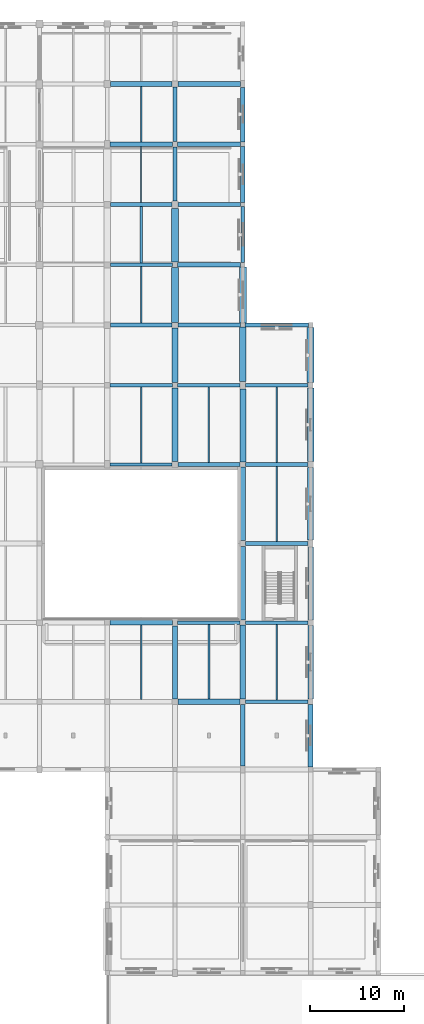
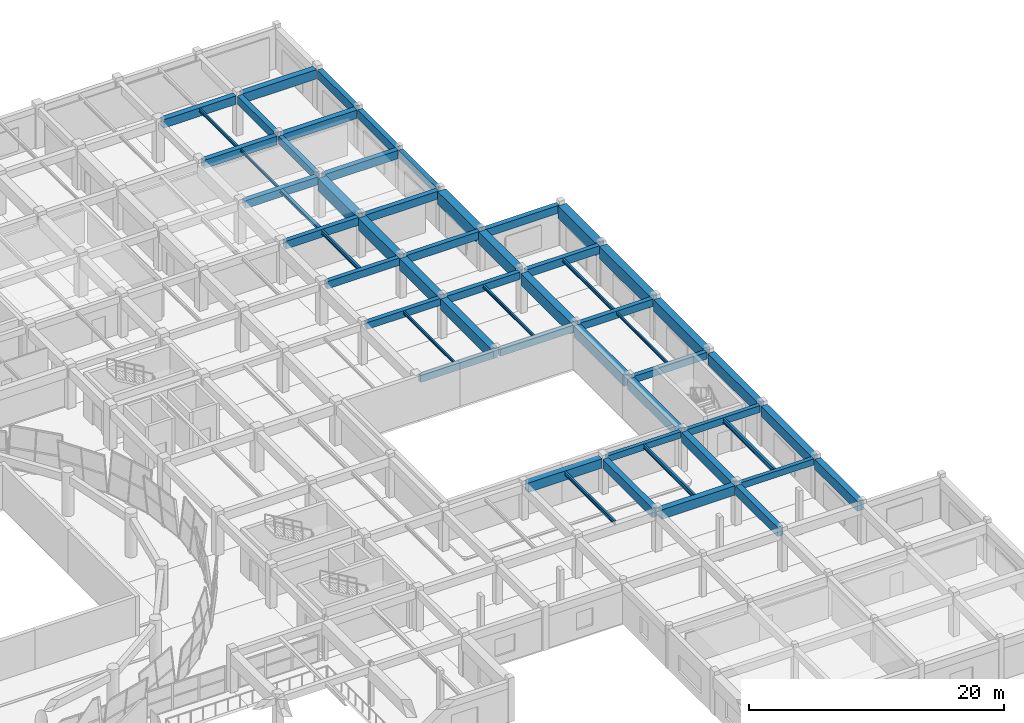
# One storey, part 39 of 71: 57 beams.
"""IFC4 building model written with IfcOpenShell, lengths in metres."""

from ifc_helpers import new_model, si_unit, direction, frame, origin, origin_2d, place, context, subcontext, project, spatial, rectangle, i_section, extrude, material, material_profile, profile_set, type_object, element, save


model = new_model("IFC4")

# Units and contexts
model_context = context("Model", 3, precision=1e-05, world=origin(), true_north=direction((0.0, 1.0)))
body_context = subcontext(model_context, "Body", "Model", "MODEL_VIEW")
ifc_project = project(units=[si_unit("LENGTHUNIT", "METRE"), si_unit("AREAUNIT", "SQUARE_METRE"), si_unit("VOLUMEUNIT", "CUBIC_METRE"), si_unit("PLANEANGLEUNIT", "RADIAN"), si_unit("MASSUNIT", "GRAM", prefix="KILO")], contexts=[model_context])

# Site, building, storey
site_placement = place(None, origin())
site = spatial("IfcSite", under=ifc_project, at=site_placement, CompositionType="ELEMENT")
building_placement = place(site_placement, origin())
building = spatial("IfcBuilding", under=site, at=building_placement, Name="Korsvaeld Concert Hall", CompositionType="ELEMENT")
storey_placement = place(building_placement, frame((0.0, 0.0, 4.800048828125)))
storey = spatial("IfcBuildingStorey", under=building, at=storey_placement, Name="L01", CompositionType="ELEMENT", Elevation=4.800048828125)

# Beams
ifc_material_1 = material(Name="Concrete C35/45", Category="concrete")
ifc_material_profile_1 = material_profile(ifc_material_1, rectangle(XDim=0.35009765625, YDim=0.60009765625, at=origin_2d()), Name="RC 350x600")
ifc_profile_set_1 = profile_set([ifc_material_profile_1], Name="Concrete C35/45")
beam_type_1 = type_object("IfcBeamType", Name="BM-RC-350x600", PredefinedType="T_BEAM", material=ifc_profile_set_1)
beam_1_placement = place(storey_placement, frame((146.699951171875, 43.199951171875, 3.5400390625), z_axis=(1.0, 0.0, 0.0), x_axis=(0.0, 1.0, 0.0)))
element("IfcBeam", 1, at=beam_1_placement, inside=storey, type_object=beam_type_1, Name="Primary girder 20-21/G L01", PredefinedType="T_BEAM", context=body_context, shape_type="SweptSolid", body=[
    extrude(rectangle(XDim=0.35009765625, YDim=0.60009765625, at=origin_2d()), origin(), (0.0, 0.0, 1.0), 6.625),
])
beam_2_placement = place(storey_placement, frame((139.47509765625, 51.60009765625, 3.5400390625), z_axis=(1.0, 0.0, 0.0), x_axis=(0.0, 1.0, 0.0)))
element("IfcBeam", 2, at=beam_2_placement, inside=storey, type_object=beam_type_1, Name="Primary girder 19-20/H L01", PredefinedType="T_BEAM", context=body_context, shape_type="SweptSolid", body=[
    extrude(rectangle(XDim=0.35009765625, YDim=0.60009765625, at=origin_2d()), origin(), (0.0, 0.0, 1.0), 6.64990234375),
])
ifc_material_profile_2 = material_profile(ifc_material_1, rectangle(XDim=0.35009765625, YDim=0.64990234375, at=origin_2d()), Name="RC 350x650")
ifc_profile_set_2 = profile_set([ifc_material_profile_2], Name="Concrete C35/45")
beam_type_2 = type_object("IfcBeamType", Name="BM-RC-350x650", PredefinedType="T_BEAM", material=ifc_profile_set_2)
beam_3_placement = place(storey_placement, frame((146.675048828125, 51.60009765625, 3.514892578125), z_axis=(1.0, 0.0, 0.0), x_axis=(0.0, 1.0, 0.0)))
element("IfcBeam", 3, at=beam_3_placement, inside=storey, type_object=beam_type_2, Name="Primary girder 20-21/H L01", PredefinedType="T_BEAM", context=body_context, shape_type="SweptSolid", body=[
    extrude(rectangle(XDim=0.35009765625, YDim=0.64990234375, at=origin_2d()), origin(), (0.0, 0.0, 1.0), 6.625),
])
beam_4_placement = place(storey_placement, frame((132.300048828125, 68.39990234375, 3.514892578125), z_axis=(1.0, 0.0, 0.0), x_axis=(0.0, 1.0, 0.0)))
element("IfcBeam", 4, at=beam_4_placement, inside=storey, type_object=beam_type_2, Name="Primary girder 18-19/K L01", PredefinedType="T_BEAM", context=body_context, shape_type="SweptSolid", body=[
    extrude(rectangle(XDim=0.35009765625, YDim=0.64990234375, at=origin_2d()), origin(), (0.0, 0.0, 1.0), 6.599853515625),
])
ifc_material_profile_3 = material_profile(ifc_material_1, rectangle(XDim=0.39990234375, YDim=0.64990234375, at=origin_2d()), Name="RC 400x650")
ifc_profile_set_3 = profile_set([ifc_material_profile_3], Name="Concrete C35/45")
beam_type_3 = type_object("IfcBeamType", Name="BM-RC-400x650", PredefinedType="T_BEAM", material=ifc_profile_set_3)
for number, where, z_axis, x_axis, name in (
    (5, (146.699951171875, 60.0, 3.514892578125), (1.0, 0.0, 0.0), (0.0, 1.0, 0.0), "Primary girder 20-21/J L01"),
    (6, (139.5, 68.39990234375, 3.514892578125), (1.0, 0.0, 0.0), (0.0, 1.0, 0.0), "Primary girder 19-20/K L01"),
):
    element("IfcBeam", number, at=place(storey_placement, frame(where, z_axis=z_axis, x_axis=x_axis)), inside=storey, type_object=beam_type_3, Name=name, PredefinedType="T_BEAM", context=body_context, shape_type="SweptSolid", body=[
        extrude(rectangle(XDim=0.39990234375, YDim=0.64990234375, at=origin_2d()), origin(), (0.0, 0.0, 1.0), 6.625),
    ])
beam_5_placement = place(storey_placement, frame((132.27490234375, 76.800048828125, 3.514892578125), z_axis=(1.0, 0.0, 0.0), x_axis=(0.0, 1.0, 0.0)))
element("IfcBeam", 7, at=beam_5_placement, inside=storey, type_object=beam_type_3, Name="Primary girder 18-19/L L01", PredefinedType="T_BEAM", context=body_context, shape_type="SweptSolid", body=[
    extrude(rectangle(XDim=0.39990234375, YDim=0.64990234375, at=origin_2d()), origin(), (0.0, 0.0, 1.0), 6.650146484375),
])
ifc_material_profile_4 = material_profile(ifc_material_1, rectangle(XDim=0.39990234375, YDim=0.699951171875, at=origin_2d()), Name="RC 400x700")
ifc_profile_set_4 = profile_set([ifc_material_profile_4], Name="Concrete C35/45")
beam_type_4 = type_object("IfcBeamType", Name="BM-RC-400x700", PredefinedType="T_BEAM", material=ifc_profile_set_4)
for number, where, z_axis, x_axis, name in (
    (8, (146.675048828125, 68.39990234375, 3.489990234375), (1.0, 0.0, 0.0), (0.0, 1.0, 0.0), "Primary girder 20-21/K L01"),
    (9, (139.47509765625, 76.800048828125, 3.489990234375), (1.0, 0.0, 0.0), (0.0, 1.0, 0.0), "Primary girder 19-20/L L01"),
):
    element("IfcBeam", number, at=place(storey_placement, frame(where, z_axis=z_axis, x_axis=x_axis)), inside=storey, type_object=beam_type_4, Name=name, PredefinedType="T_BEAM", context=body_context, shape_type="SweptSolid", body=[
        extrude(rectangle(XDim=0.39990234375, YDim=0.699951171875, at=origin_2d()), origin(), (0.0, 0.0, 1.0), 6.625),
    ])
beam_6_placement = place(storey_placement, frame((132.35009765625, 83.199951171875, 3.489990234375), z_axis=(1.0, 0.0, 0.0), x_axis=(0.0, 1.0, 0.0)))
element("IfcBeam", 10, at=beam_6_placement, inside=storey, type_object=beam_type_4, Name="Primary girder 18-19/M L01", PredefinedType="T_BEAM", context=body_context, shape_type="SweptSolid", body=[
    extrude(rectangle(XDim=0.39990234375, YDim=0.699951171875, at=origin_2d()), origin(), (0.0, 0.0, 1.0), 6.5498046875),
])
beam_7_placement = place(storey_placement, frame((139.199951171875, 96.39990234375, 3.489990234375), z_axis=(0.0, 1.0, 0.0), x_axis=(-1.0, 0.0, 0.0)))
element("IfcBeam", 11, at=beam_7_placement, inside=storey, type_object=beam_type_4, Name="Primary girder 19/P-Q L01", PredefinedType="T_BEAM", context=body_context, shape_type="SweptSolid", body=[
    extrude(rectangle(XDim=0.39990234375, YDim=0.699951171875, at=origin_2d()), origin(), (0.0, 0.0, 1.0), 5.72509765625),
])
beam_8_placement = place(storey_placement, frame((146.39990234375, 89.85009765625, 3.489990234375), z_axis=(0.0, 1.0, 0.0), x_axis=(-1.0, 0.0, 0.0)))
element("IfcBeam", 12, at=beam_8_placement, inside=storey, type_object=beam_type_4, Name="Primary girder 20/N-P L01", PredefinedType="T_BEAM", context=body_context, shape_type="SweptSolid", body=[
    extrude(rectangle(XDim=0.39990234375, YDim=0.699951171875, at=origin_2d()), origin(), (0.0, 0.0, 1.0), 5.9248046875),
])
ifc_material_profile_5 = material_profile(ifc_material_1, rectangle(XDim=0.39990234375, YDim=0.75, at=origin_2d()), Name="RC 400x750")
ifc_profile_set_5 = profile_set([ifc_material_profile_5], Name="Concrete C35/45")
beam_type_5 = type_object("IfcBeamType", Name="BM-RC-400x750", PredefinedType="T_BEAM", material=ifc_profile_set_5)
beam_9_placement = place(storey_placement, frame((146.699951171875, 76.800048828125, 3.46484375), z_axis=(1.0, 0.0, 0.0), x_axis=(0.0, 1.0, 0.0)))
element("IfcBeam", 13, at=beam_9_placement, inside=storey, type_object=beam_type_5, Name="Primary girder 20-21/L L01", PredefinedType="T_BEAM", context=body_context, shape_type="SweptSolid", body=[
    extrude(rectangle(XDim=0.39990234375, YDim=0.75, at=origin_2d()), origin(), (0.0, 0.0, 1.0), 6.625),
])
beam_10_placement = place(storey_placement, frame((139.5, 83.199951171875, 3.46484375), z_axis=(1.0, 0.0, 0.0), x_axis=(0.0, 1.0, 0.0)))
element("IfcBeam", 14, at=beam_10_placement, inside=storey, type_object=beam_type_5, Name="Primary girder 19-20/M L01", PredefinedType="T_BEAM", context=body_context, shape_type="SweptSolid", body=[
    extrude(rectangle(XDim=0.39990234375, YDim=0.75, at=origin_2d()), origin(), (0.0, 0.0, 1.0), 6.675048828125),
])
beam_11_placement = place(storey_placement, frame((132.324951171875, 89.60009765625, 3.46484375), z_axis=(1.0, 0.0, 0.0), x_axis=(0.0, 1.0, 0.0)))
element("IfcBeam", 15, at=beam_11_placement, inside=storey, type_object=beam_type_5, Name="Primary girder 18-19/N L01", PredefinedType="T_BEAM", context=body_context, shape_type="SweptSolid", body=[
    extrude(rectangle(XDim=0.39990234375, YDim=0.75, at=origin_2d()), origin(), (0.0, 0.0, 1.0), 6.60009765625),
])
ifc_material_profile_6 = material_profile(ifc_material_1, rectangle(XDim=0.449951171875, YDim=0.75, at=origin_2d()), Name="RC 450x750")
ifc_profile_set_6 = profile_set([ifc_material_profile_6], Name="Concrete C35/45")
beam_type_6 = type_object("IfcBeamType", Name="BM-RC-450x750", PredefinedType="T_BEAM", material=ifc_profile_set_6)
beam_12_placement = place(storey_placement, frame((146.625, 83.199951171875, 3.46484375), z_axis=(1.0, 0.0, 0.0), x_axis=(0.0, 1.0, 0.0)))
element("IfcBeam", 16, at=beam_12_placement, inside=storey, type_object=beam_type_6, Name="Primary girder 20-21/M L01", PredefinedType="T_BEAM", context=body_context, shape_type="SweptSolid", body=[
    extrude(rectangle(XDim=0.449951171875, YDim=0.75, at=origin_2d()), origin(), (0.0, 0.0, 1.0), 6.72509765625),
])
beam_13_placement = place(storey_placement, frame((139.47509765625, 89.60009765625, 3.46484375), z_axis=(1.0, 0.0, 0.0), x_axis=(0.0, 1.0, 0.0)))
element("IfcBeam", 17, at=beam_13_placement, inside=storey, type_object=beam_type_6, Name="Primary girder 19-20/N L01", PredefinedType="T_BEAM", context=body_context, shape_type="SweptSolid", body=[
    extrude(rectangle(XDim=0.449951171875, YDim=0.75, at=origin_2d()), origin(), (0.0, 0.0, 1.0), 6.6748046875),
])
beam_14_placement = place(storey_placement, frame((132.35009765625, 96.0, 3.46484375), z_axis=(1.0, 0.0, 0.0), x_axis=(0.0, 1.0, 0.0)))
element("IfcBeam", 18, at=beam_14_placement, inside=storey, type_object=beam_type_6, Name="Primary girder 18-19/P L01", PredefinedType="T_BEAM", context=body_context, shape_type="SweptSolid", body=[
    extrude(rectangle(XDim=0.449951171875, YDim=0.75, at=origin_2d()), origin(), (0.0, 0.0, 1.0), 6.5498046875),
])
ifc_material_profile_7 = material_profile(ifc_material_1, rectangle(XDim=0.449951171875, YDim=0.800048828125, at=origin_2d()), Name="RC 450x800")
ifc_profile_set_7 = profile_set([ifc_material_profile_7], Name="Concrete C35/45")
beam_type_7 = type_object("IfcBeamType", Name="BM-RC-450x800", PredefinedType="T_BEAM", material=ifc_profile_set_7)
beam_15_placement = place(storey_placement, frame((139.5, 96.0, 3.43994140625), z_axis=(1.0, 0.0, 0.0), x_axis=(0.0, 1.0, 0.0)))
element("IfcBeam", 19, at=beam_15_placement, inside=storey, type_object=beam_type_7, Name="Primary girder 19-20/P L01", PredefinedType="T_BEAM", context=body_context, shape_type="SweptSolid", body=[
    extrude(rectangle(XDim=0.449951171875, YDim=0.800048828125, at=origin_2d()), origin(), (0.0, 0.0, 1.0), 6.675048828125),
])
beam_16_placement = place(storey_placement, frame((132.300048828125, 102.39990234375, 3.43994140625), z_axis=(1.0, 0.0, 0.0), x_axis=(0.0, 1.0, 0.0)))
element("IfcBeam", 20, at=beam_16_placement, inside=storey, type_object=beam_type_7, Name="Primary girder 18-19/Q L01", PredefinedType="T_BEAM", context=body_context, shape_type="SweptSolid", body=[
    extrude(rectangle(XDim=0.449951171875, YDim=0.800048828125, at=origin_2d()), origin(), (0.0, 0.0, 1.0), 6.625),
])
beam_17_placement = place(storey_placement, frame((139.199951171875, 102.675048828125, 3.43994140625), z_axis=(0.0, 1.0, 0.0), x_axis=(-1.0, 0.0, 0.0)))
element("IfcBeam", 21, at=beam_17_placement, inside=storey, type_object=beam_type_7, Name="Primary girder 19/Q-R L01", PredefinedType="T_BEAM", context=body_context, shape_type="SweptSolid", body=[
    extrude(rectangle(XDim=0.449951171875, YDim=0.800048828125, at=origin_2d()), origin(), (0.0, 0.0, 1.0), 5.824951171875),
])
beam_18_placement = place(storey_placement, frame((146.39990234375, 96.22509765625, 3.43994140625), z_axis=(0.0, 1.0, 0.0), x_axis=(-1.0, 0.0, 0.0)))
element("IfcBeam", 22, at=beam_18_placement, inside=storey, type_object=beam_type_7, Name="Primary girder 20/P-Q L01", PredefinedType="T_BEAM", context=body_context, shape_type="SweptSolid", body=[
    extrude(rectangle(XDim=0.449951171875, YDim=0.800048828125, at=origin_2d()), origin(), (0.0, 0.0, 1.0), 5.9248046875),
])
ifc_material_2 = material(Name="Concrete C40/50", Category="concrete")
ifc_material_profile_8 = material_profile(ifc_material_2, rectangle(XDim=0.449951171875, YDim=0.85009765625, at=origin_2d()), Name="RC 450x850")
ifc_profile_set_8 = profile_set([ifc_material_profile_8], Name="Concrete C40/50")
beam_type_8 = type_object("IfcBeamType", Name="BM-RC-450x850", PredefinedType="T_BEAM", material=ifc_profile_set_8)
beam_19_placement = place(storey_placement, frame((146.39990234375, 102.64990234375, 3.4150390625), z_axis=(0.0, 1.0, 0.0), x_axis=(-1.0, 0.0, 0.0)))
element("IfcBeam", 23, at=beam_19_placement, inside=storey, type_object=beam_type_8, Name="Primary girder 20/Q-R L01", PredefinedType="T_BEAM", context=body_context, shape_type="SweptSolid", body=[
    extrude(rectangle(XDim=0.449951171875, YDim=0.85009765625, at=origin_2d()), origin(), (0.0, 0.0, 1.0), 5.800048828125),
])
ifc_material_profile_9 = material_profile(ifc_material_2, rectangle(XDim=0.5, YDim=0.800048828125, at=origin_2d()), Name="RC 500x800")
ifc_profile_set_9 = profile_set([ifc_material_profile_9], Name="Concrete C40/50")
beam_type_9 = type_object("IfcBeamType", Name="BM-RC-500x800", PredefinedType="T_BEAM", material=ifc_profile_set_9)
beam_20_placement = place(storey_placement, frame((139.47509765625, 102.39990234375, 3.43994140625), z_axis=(1.0, 0.0, 0.0), x_axis=(0.0, 1.0, 0.0)))
element("IfcBeam", 24, at=beam_20_placement, inside=storey, type_object=beam_type_9, Name="Primary girder 19-20/Q L01", PredefinedType="T_BEAM", context=body_context, shape_type="SweptSolid", body=[
    extrude(rectangle(XDim=0.5, YDim=0.800048828125, at=origin_2d()), origin(), (0.0, 0.0, 1.0), 6.6748046875),
])
beam_21_placement = place(storey_placement, frame((132.35009765625, 108.800048828125, 3.43994140625), z_axis=(1.0, 0.0, 0.0), x_axis=(0.0, 1.0, 0.0)))
element("IfcBeam", 25, at=beam_21_placement, inside=storey, type_object=beam_type_9, Name="Primary girder 18-19/R L01", PredefinedType="T_BEAM", context=body_context, shape_type="SweptSolid", body=[
    extrude(rectangle(XDim=0.5, YDim=0.800048828125, at=origin_2d()), origin(), (0.0, 0.0, 1.0), 6.5498046875),
])
ifc_material_profile_10 = material_profile(ifc_material_2, rectangle(XDim=0.5, YDim=0.89990234375, at=origin_2d()), Name="RC 500x900")
ifc_profile_set_10 = profile_set([ifc_material_profile_10], Name="Concrete C40/50")
beam_type_10 = type_object("IfcBeamType", Name="BM-RC-500x900", PredefinedType="T_BEAM", material=ifc_profile_set_10)
beam_22_placement = place(storey_placement, frame((139.199951171875, 43.5, 3.389892578125), z_axis=(0.0, 1.0, 0.0), x_axis=(-1.0, 0.0, 0.0)))
element("IfcBeam", 26, at=beam_22_placement, inside=storey, type_object=beam_type_10, Name="Primary girder 19/G-H L01", PredefinedType="T_BEAM", context=body_context, shape_type="SweptSolid", body=[
    extrude(rectangle(XDim=0.5, YDim=0.89990234375, at=origin_2d()), origin(), (0.0, 0.0, 1.0), 7.72509765625),
])
beam_23_placement = place(storey_placement, frame((146.39990234375, 36.35009765625, 3.389892578125), z_axis=(0.0, 1.0, 0.0), x_axis=(-1.0, 0.0, 0.0)))
element("IfcBeam", 27, at=beam_23_placement, inside=storey, type_object=beam_type_10, Name="Primary girder 20/F-G L01", PredefinedType="T_BEAM", context=body_context, shape_type="SweptSolid", body=[
    extrude(rectangle(XDim=0.5, YDim=0.89990234375, at=origin_2d()), origin(), (0.0, 0.0, 1.0), 6.5498046875),
])
ifc_material_profile_11 = material_profile(ifc_material_2, rectangle(XDim=0.550048828125, YDim=0.89990234375, at=origin_2d()), Name="RC 550x900")
ifc_profile_set_11 = profile_set([ifc_material_profile_11], Name="Concrete C40/50")
beam_type_11 = type_object("IfcBeamType", Name="BM-RC-550x900", PredefinedType="T_BEAM", material=ifc_profile_set_11)
beam_24_placement = place(storey_placement, frame((139.5, 43.199951171875, 3.389892578125), z_axis=(1.0, 0.0, 0.0), x_axis=(0.0, 1.0, 0.0)))
element("IfcBeam", 28, at=beam_24_placement, inside=storey, type_object=beam_type_11, Name="Primary girder 19-20/G L01", PredefinedType="T_BEAM", context=body_context, shape_type="SweptSolid", body=[
    extrude(rectangle(XDim=0.550048828125, YDim=0.89990234375, at=origin_2d()), origin(), (0.0, 0.0, 1.0), 6.60009765625),
])
beam_25_placement = place(storey_placement, frame((132.27490234375, 51.60009765625, 3.389892578125), z_axis=(1.0, 0.0, 0.0), x_axis=(0.0, 1.0, 0.0)))
element("IfcBeam", 29, at=beam_25_placement, inside=storey, type_object=beam_type_11, Name="Primary girder 18-19/H L01", PredefinedType="T_BEAM", context=body_context, shape_type="SweptSolid", body=[
    extrude(rectangle(XDim=0.550048828125, YDim=0.89990234375, at=origin_2d()), origin(), (0.0, 0.0, 1.0), 6.650146484375),
])
beam_26_placement = place(storey_placement, frame((139.5, 108.800048828125, 3.389892578125), z_axis=(1.0, 0.0, 0.0), x_axis=(0.0, 1.0, 0.0)))
element("IfcBeam", 30, at=beam_26_placement, inside=storey, type_object=beam_type_11, Name="Primary girder 19-20/R L01", PredefinedType="T_BEAM", context=body_context, shape_type="SweptSolid", body=[
    extrude(rectangle(XDim=0.550048828125, YDim=0.89990234375, at=origin_2d()), origin(), (0.0, 0.0, 1.0), 6.64990234375),
])
ifc_material_profile_12 = material_profile(ifc_material_2, rectangle(XDim=0.550048828125, YDim=0.949951171875, at=origin_2d()), Name="RC 550x950")
ifc_profile_set_12 = profile_set([ifc_material_profile_12], Name="Concrete C40/50")
beam_type_12 = type_object("IfcBeamType", Name="BM-RC-550x950", PredefinedType="T_BEAM", material=ifc_profile_set_12)
beam_27_placement = place(storey_placement, frame((146.39990234375, 43.5, 3.364990234375), z_axis=(0.0, 1.0, 0.0), x_axis=(-1.0, 0.0, 0.0)))
element("IfcBeam", 31, at=beam_27_placement, inside=storey, type_object=beam_type_12, Name="Primary girder 20/G-H L01", PredefinedType="T_BEAM", context=body_context, shape_type="SweptSolid", body=[
    extrude(rectangle(XDim=0.550048828125, YDim=0.949951171875, at=origin_2d()), origin(), (0.0, 0.0, 1.0), 7.824951171875),
])
beam_28_placement = place(storey_placement, frame((153.60009765625, 36.25, 3.364990234375), z_axis=(0.0, 1.0, 0.0), x_axis=(-1.0, 0.0, 0.0)))
element("IfcBeam", 32, at=beam_28_placement, inside=storey, type_object=beam_type_12, Name="Primary girder 21/F-G L01", PredefinedType="T_BEAM", context=body_context, shape_type="SweptSolid", body=[
    extrude(rectangle(XDim=0.550048828125, YDim=0.949951171875, at=origin_2d()), origin(), (0.0, 0.0, 1.0), 6.675048828125),
])
ifc_material_profile_13 = material_profile(ifc_material_2, rectangle(XDim=0.60009765625, YDim=1.050048828125, at=origin_2d()), Name="RC 600x1050")
ifc_profile_set_13 = profile_set([ifc_material_profile_13], Name="Concrete C40/50")
beam_type_13 = type_object("IfcBeamType", Name="BM-RC-600x1050", PredefinedType="T_BEAM", material=ifc_profile_set_13)
for number, where, z_axis, x_axis, name in (
    (33, (139.199951171875, 68.699951171875, 3.31494140625), (0.0, 1.0, 0.0), (-1.0, 0.0, 0.0), "Primary girder 19/K-L L01"),
    (34, (146.39990234375, 60.300048828125, 3.31494140625), (0.0, 1.0, 0.0), (-1.0, 0.0, 0.0), "Primary girder 20/J-K L01"),
):
    element("IfcBeam", number, at=place(storey_placement, frame(where, z_axis=z_axis, x_axis=x_axis)), inside=storey, type_object=beam_type_13, Name=name, PredefinedType="T_BEAM", context=body_context, shape_type="SweptSolid", body=[
        extrude(rectangle(XDim=0.60009765625, YDim=1.050048828125, at=origin_2d()), origin(), (0.0, 0.0, 1.0), 7.824951171875),
    ])
beam_29_placement = place(storey_placement, frame((153.60009765625, 51.89990234375, 3.31494140625), z_axis=(0.0, 1.0, 0.0), x_axis=(-1.0, 0.0, 0.0)))
element("IfcBeam", 35, at=beam_29_placement, inside=storey, type_object=beam_type_13, Name="Primary girder 21/H-J L01", PredefinedType="T_BEAM", context=body_context, shape_type="SweptSolid", body=[
    extrude(rectangle(XDim=0.60009765625, YDim=1.050048828125, at=origin_2d()), origin(), (0.0, 0.0, 1.0), 7.72509765625),
])
ifc_material_profile_14 = material_profile(ifc_material_2, rectangle(XDim=0.60009765625, YDim=0.949951171875, at=origin_2d()), Name="RC 600x950")
ifc_profile_set_14 = profile_set([ifc_material_profile_14], Name="Concrete C40/50")
beam_type_14 = type_object("IfcBeamType", Name="BM-RC-600x950", PredefinedType="T_BEAM", material=ifc_profile_set_14)
for number, where, z_axis, x_axis, name in (
    (36, (146.39990234375, 51.875, 3.364990234375), (0.0, 1.0, 0.0), (-1.0, 0.0, 0.0), "Primary girder 20/H-J L01"),
    (37, (153.60009765625, 43.47509765625, 3.364990234375), (0.0, 1.0, 0.0), (-1.0, 0.0, 0.0), "Primary girder 21/G-H L01"),
):
    element("IfcBeam", number, at=place(storey_placement, frame(where, z_axis=z_axis, x_axis=x_axis)), inside=storey, type_object=beam_type_14, Name=name, PredefinedType="T_BEAM", context=body_context, shape_type="SweptSolid", body=[
        extrude(rectangle(XDim=0.60009765625, YDim=0.949951171875, at=origin_2d()), origin(), (0.0, 0.0, 1.0), 7.824951171875),
    ])
ifc_material_profile_15 = material_profile(ifc_material_2, rectangle(XDim=0.64990234375, YDim=1.10009765625, at=origin_2d()), Name="RC 650x1100")
ifc_profile_set_15 = profile_set([ifc_material_profile_15], Name="Concrete C40/50")
beam_type_15 = type_object("IfcBeamType", Name="BM-RC-650x1100", PredefinedType="T_BEAM", material=ifc_profile_set_15)
beam_30_placement = place(storey_placement, frame((139.199951171875, 77.074951171875, 3.2900390625), z_axis=(0.0, 1.0, 0.0), x_axis=(-1.0, 0.0, 0.0)))
element("IfcBeam", 38, at=beam_30_placement, inside=storey, type_object=beam_type_15, Name="Primary girder 19/L-M L01", PredefinedType="T_BEAM", context=body_context, shape_type="SweptSolid", body=[
    extrude(rectangle(XDim=0.64990234375, YDim=1.10009765625, at=origin_2d()), origin(), (0.0, 0.0, 1.0), 5.824951171875),
])
beam_31_placement = place(storey_placement, frame((146.39990234375, 68.675048828125, 3.2900390625), z_axis=(0.0, 1.0, 0.0), x_axis=(-1.0, 0.0, 0.0)))
element("IfcBeam", 39, at=beam_31_placement, inside=storey, type_object=beam_type_15, Name="Primary girder 20/K-L L01", PredefinedType="T_BEAM", context=body_context, shape_type="SweptSolid", body=[
    extrude(rectangle(XDim=0.64990234375, YDim=1.10009765625, at=origin_2d()), origin(), (0.0, 0.0, 1.0), 7.724853515625),
])
beam_32_placement = place(storey_placement, frame((153.60009765625, 60.375, 3.2900390625), z_axis=(0.0, 1.0, 0.0), x_axis=(-1.0, 0.0, 0.0)))
element("IfcBeam", 40, at=beam_32_placement, inside=storey, type_object=beam_type_15, Name="Primary girder 21/J-K L01", PredefinedType="T_BEAM", context=body_context, shape_type="SweptSolid", body=[
    extrude(rectangle(XDim=0.64990234375, YDim=1.10009765625, at=origin_2d()), origin(), (0.0, 0.0, 1.0), 7.72509765625),
])
ifc_material_profile_16 = material_profile(ifc_material_2, rectangle(XDim=0.699951171875, YDim=1.14990234375, at=origin_2d()), Name="RC 700x1150")
ifc_profile_set_16 = profile_set([ifc_material_profile_16], Name="Concrete C40/50")
beam_type_16 = type_object("IfcBeamType", Name="BM-RC-700x1150", PredefinedType="T_BEAM", material=ifc_profile_set_16)
beam_33_placement = place(storey_placement, frame((139.199951171875, 83.5, 3.264892578125), z_axis=(0.0, 1.0, 0.0), x_axis=(-1.0, 0.0, 0.0)))
element("IfcBeam", 41, at=beam_33_placement, inside=storey, type_object=beam_type_16, Name="Primary girder 19/M-N L01", PredefinedType="T_BEAM", context=body_context, shape_type="SweptSolid", body=[
    extrude(rectangle(XDim=0.699951171875, YDim=1.14990234375, at=origin_2d()), origin(), (0.0, 0.0, 1.0), 5.824951171875),
])
beam_34_placement = place(storey_placement, frame((146.39990234375, 77.199951171875, 3.264892578125), z_axis=(0.0, 1.0, 0.0), x_axis=(-1.0, 0.0, 0.0)))
element("IfcBeam", 42, at=beam_34_placement, inside=storey, type_object=beam_type_16, Name="Primary girder 20/L-M L01", PredefinedType="T_BEAM", context=body_context, shape_type="SweptSolid", body=[
    extrude(rectangle(XDim=0.699951171875, YDim=1.14990234375, at=origin_2d()), origin(), (0.0, 0.0, 1.0), 5.775146484375),
])
beam_35_placement = place(storey_placement, frame((153.60009765625, 68.699951171875, 3.264892578125), z_axis=(0.0, 1.0, 0.0), x_axis=(-1.0, 0.0, 0.0)))
element("IfcBeam", 43, at=beam_35_placement, inside=storey, type_object=beam_type_16, Name="Primary girder 21/K-L L01", PredefinedType="T_BEAM", context=body_context, shape_type="SweptSolid", body=[
    extrude(rectangle(XDim=0.699951171875, YDim=1.14990234375, at=origin_2d()), origin(), (0.0, 0.0, 1.0), 7.824951171875),
])
ifc_material_profile_17 = material_profile(ifc_material_2, rectangle(XDim=0.75, YDim=1.199951171875, at=origin_2d()), Name="RC 750x1200")
ifc_profile_set_17 = profile_set([ifc_material_profile_17], Name="Concrete C40/50")
beam_type_17 = type_object("IfcBeamType", Name="BM-RC-750x1200", PredefinedType="T_BEAM", material=ifc_profile_set_17)
beam_36_placement = place(storey_placement, frame((139.199951171875, 89.875, 3.239990234375), z_axis=(0.0, 1.0, 0.0), x_axis=(-1.0, 0.0, 0.0)))
element("IfcBeam", 44, at=beam_36_placement, inside=storey, type_object=beam_type_17, Name="Primary girder 19/N-P L01", PredefinedType="T_BEAM", context=body_context, shape_type="SweptSolid", body=[
    extrude(rectangle(XDim=0.75, YDim=1.199951171875, at=origin_2d()), origin(), (0.0, 0.0, 1.0), 5.72509765625),
])
beam_37_placement = place(storey_placement, frame((146.39990234375, 83.425048828125, 3.239990234375), z_axis=(0.0, 1.0, 0.0), x_axis=(-1.0, 0.0, 0.0)))
element("IfcBeam", 45, at=beam_37_placement, inside=storey, type_object=beam_type_17, Name="Primary girder 20/M-N L01", PredefinedType="T_BEAM", context=body_context, shape_type="SweptSolid", body=[
    extrude(rectangle(XDim=0.75, YDim=1.199951171875, at=origin_2d()), origin(), (0.0, 0.0, 1.0), 5.925048828125),
])
beam_38_placement = place(storey_placement, frame((153.60009765625, 77.074951171875, 3.239990234375), z_axis=(0.0, 1.0, 0.0), x_axis=(-1.0, 0.0, 0.0)))
element("IfcBeam", 46, at=beam_38_placement, inside=storey, type_object=beam_type_17, Name="Primary girder 21/L-M L01", PredefinedType="T_BEAM", context=body_context, shape_type="SweptSolid", body=[
    extrude(rectangle(XDim=0.75, YDim=1.199951171875, at=origin_2d()), origin(), (0.0, 0.0, 1.0), 5.875),
])
ifc_material_3 = material(Name="Steel S355J2", Category="steel")
ifc_material_profile_18 = material_profile(ifc_material_3, i_section(OverallWidth=0.280029296875, OverallDepth=0.27001953125, WebThickness=0.008056640625, FlangeThickness=0.012939453125, FilletRadius=0.02392578125, at=origin_2d()), Name="HEA 280")
ifc_profile_set_18 = profile_set([ifc_material_profile_18], Name="Steel S355J2")
beam_type_18 = type_object("IfcBeamType", Name="BM-STL-HEA280", PredefinedType="BEAM", material=ifc_profile_set_18)
beam_39_placement = place(storey_placement, frame((135.60009765625, 89.800048828125, 3.704833984375), z_axis=(0.0, 1.0, 0.0), x_axis=(-1.0, 0.0, 0.0)))
element("IfcBeam", 47, at=beam_39_placement, inside=storey, type_object=beam_type_18, Name="Secondary steel floor beam 18-19/N L01", PredefinedType="BEAM", context=body_context, shape_type="SweptSolid", body=[
    extrude(i_section(OverallWidth=0.280029296875, OverallDepth=0.27001953125, WebThickness=0.008056640625, FlangeThickness=0.012939453125, FilletRadius=0.02392578125, at=origin_2d()), origin(), (0.0, 0.0, 1.0), 5.974853515625),
])
ifc_material_profile_19 = material_profile(ifc_material_3, i_section(OverallWidth=0.1201171875, OverallDepth=0.239990234375, WebThickness=0.006103515625, FlangeThickness=0.009765625, FilletRadius=0.014892578125, at=origin_2d()), Name="IPE 240")
ifc_profile_set_19 = profile_set([ifc_material_profile_19], Name="Steel S355J2")
beam_type_19 = type_object("IfcBeamType", Name="BM-STL-IPE240", PredefinedType="JOIST", material=ifc_profile_set_19)
beam_40_placement = place(storey_placement, frame((135.60009765625, 96.22509765625, 3.719970703125), z_axis=(0.0, 1.0, 0.0), x_axis=(-1.0, 0.0, 0.0)))
element("IfcBeam", 48, at=beam_40_placement, inside=storey, type_object=beam_type_19, Name="Secondary steel floor beam 18-19/P L01", PredefinedType="JOIST", context=body_context, shape_type="SweptSolid", body=[
    extrude(i_section(OverallWidth=0.1201171875, OverallDepth=0.239990234375, WebThickness=0.006103515625, FlangeThickness=0.009765625, FilletRadius=0.014892578125, at=origin_2d()), origin(), (0.0, 0.0, 1.0), 5.949951171875),
])
ifc_material_profile_20 = material_profile(ifc_material_3, i_section(OverallWidth=0.135009765625, OverallDepth=0.27001953125, WebThickness=0.006591796875, FlangeThickness=0.01025390625, FilletRadius=0.014892578125, at=origin_2d()), Name="IPE 270")
ifc_profile_set_20 = profile_set([ifc_material_profile_20], Name="Steel S355J2")
beam_type_20 = type_object("IfcBeamType", Name="BM-STL-IPE270", PredefinedType="JOIST", material=ifc_profile_set_20)
beam_41_placement = place(storey_placement, frame((135.60009765625, 68.574951171875, 3.704833984375), z_axis=(0.0, 1.0, 0.0), x_axis=(-1.0, 0.0, 0.0)))
element("IfcBeam", 49, at=beam_41_placement, inside=storey, type_object=beam_type_20, Name="Secondary steel floor beam 18-19/K L01", PredefinedType="JOIST", context=body_context, shape_type="SweptSolid", body=[
    extrude(i_section(OverallWidth=0.135009765625, OverallDepth=0.27001953125, WebThickness=0.006591796875, FlangeThickness=0.01025390625, FilletRadius=0.014892578125, at=origin_2d()), origin(), (0.0, 0.0, 1.0), 8.025146484375),
])
beam_42_placement = place(storey_placement, frame((150.0, 60.199951171875, 3.704833984375), z_axis=(0.0, 1.0, 0.0), x_axis=(-1.0, 0.0, 0.0)))
element("IfcBeam", 50, at=beam_42_placement, inside=storey, type_object=beam_type_20, Name="Secondary steel floor beam 20-21/J L01", PredefinedType="JOIST", context=body_context, shape_type="SweptSolid", body=[
    extrude(i_section(OverallWidth=0.135009765625, OverallDepth=0.27001953125, WebThickness=0.006591796875, FlangeThickness=0.01025390625, FilletRadius=0.014892578125, at=origin_2d()), origin(), (0.0, 0.0, 1.0), 8.0),
])
ifc_material_profile_21 = material_profile(ifc_material_3, i_section(OverallWidth=0.14990234375, OverallDepth=0.300048828125, WebThickness=0.007080078125, FlangeThickness=0.0107421875, FilletRadius=0.014892578125, at=origin_2d()), Name="IPE 300")
ifc_profile_set_21 = profile_set([ifc_material_profile_21], Name="Steel S355J2")
beam_type_21 = type_object("IfcBeamType", Name="BM-STL-IPE300", PredefinedType="JOIST", material=ifc_profile_set_21)
beam_43_placement = place(storey_placement, frame((135.60009765625, 102.625, 3.68994140625), z_axis=(0.0, 1.0, 0.0), x_axis=(-1.0, 0.0, 0.0)))
element("IfcBeam", 51, at=beam_43_placement, inside=storey, type_object=beam_type_21, Name="Secondary steel floor beam 18-19/Q L01", PredefinedType="JOIST", context=body_context, shape_type="SweptSolid", body=[
    extrude(i_section(OverallWidth=0.14990234375, OverallDepth=0.300048828125, WebThickness=0.007080078125, FlangeThickness=0.0107421875, FilletRadius=0.014892578125, at=origin_2d()), origin(), (0.0, 0.0, 1.0), 5.925048828125),
])
beam_44_placement = place(storey_placement, frame((142.800048828125, 68.60009765625, 3.68994140625), z_axis=(0.0, 1.0, 0.0), x_axis=(-1.0, 0.0, 0.0)))
element("IfcBeam", 52, at=beam_44_placement, inside=storey, type_object=beam_type_21, Name="Secondary steel floor beam 19-20/K L01", PredefinedType="JOIST", context=body_context, shape_type="SweptSolid", body=[
    extrude(i_section(OverallWidth=0.14990234375, OverallDepth=0.300048828125, WebThickness=0.007080078125, FlangeThickness=0.0107421875, FilletRadius=0.014892578125, at=origin_2d()), origin(), (0.0, 0.0, 1.0), 8.0),
])
ifc_material_profile_22 = material_profile(ifc_material_3, i_section(OverallWidth=0.159912109375, OverallDepth=0.330078125, WebThickness=0.007568359375, FlangeThickness=0.011474609375, FilletRadius=0.01806640625, at=origin_2d()), Name="IPE 330")
ifc_profile_set_22 = profile_set([ifc_material_profile_22], Name="Steel S355J2")
beam_type_22 = type_object("IfcBeamType", Name="BM-STL-IPE330", PredefinedType="BEAM", material=ifc_profile_set_22)
beam_45_placement = place(storey_placement, frame((150.0, 68.60009765625, 3.675048828125), z_axis=(0.0, 1.0, 0.0), x_axis=(-1.0, 0.0, 0.0)))
element("IfcBeam", 53, at=beam_45_placement, inside=storey, type_object=beam_type_22, Name="Secondary steel floor beam 20-21/K L01", PredefinedType="BEAM", context=body_context, shape_type="SweptSolid", body=[
    extrude(i_section(OverallWidth=0.159912109375, OverallDepth=0.330078125, WebThickness=0.007568359375, FlangeThickness=0.011474609375, FilletRadius=0.01806640625, at=origin_2d()), origin(), (0.0, 0.0, 1.0), 8.0),
])
ifc_material_profile_23 = material_profile(ifc_material_3, i_section(OverallWidth=0.169921875, OverallDepth=0.360107421875, WebThickness=0.008056640625, FlangeThickness=0.0126953125, FilletRadius=0.01806640625, at=origin_2d()), Name="IPE 360")
ifc_profile_set_23 = profile_set([ifc_material_profile_23], Name="Steel S355J2")
beam_type_23 = type_object("IfcBeamType", Name="BM-STL-IPE360", PredefinedType="BEAM", material=ifc_profile_set_23)
beam_46_placement = place(storey_placement, frame((135.60009765625, 43.449951171875, 3.659912109375), z_axis=(0.0, 1.0, 0.0), x_axis=(-1.0, 0.0, 0.0)))
element("IfcBeam", 54, at=beam_46_placement, inside=storey, type_object=beam_type_23, Name="Secondary steel floor beam 18-19/G L01", PredefinedType="BEAM", context=body_context, shape_type="SweptSolid", body=[
    extrude(i_section(OverallWidth=0.169921875, OverallDepth=0.360107421875, WebThickness=0.008056640625, FlangeThickness=0.0126953125, FilletRadius=0.01806640625, at=origin_2d()), origin(), (0.0, 0.0, 1.0), 7.875),
])
ifc_material_profile_24 = material_profile(ifc_material_3, i_section(OverallWidth=0.179931640625, OverallDepth=0.39990234375, WebThickness=0.008544921875, FlangeThickness=0.013427734375, FilletRadius=0.02099609375, at=origin_2d()), Name="IPE 400")
ifc_profile_set_24 = profile_set([ifc_material_profile_24], Name="Steel S355J2")
beam_type_24 = type_object("IfcBeamType", Name="BM-STL-IPE400", PredefinedType="BEAM", material=ifc_profile_set_24)
beam_47_placement = place(storey_placement, frame((135.60009765625, 83.39990234375, 3.639892578125), z_axis=(0.0, 1.0, 0.0), x_axis=(-1.0, 0.0, 0.0)))
element("IfcBeam", 55, at=beam_47_placement, inside=storey, type_object=beam_type_24, Name="Secondary steel floor beam 18-19/M L01", PredefinedType="BEAM", context=body_context, shape_type="SweptSolid", body=[
    extrude(i_section(OverallWidth=0.179931640625, OverallDepth=0.39990234375, WebThickness=0.008544921875, FlangeThickness=0.013427734375, FilletRadius=0.02099609375, at=origin_2d()), origin(), (0.0, 0.0, 1.0), 6.0),
])
beam_48_placement = place(storey_placement, frame((142.800048828125, 43.47509765625, 3.639892578125), z_axis=(0.0, 1.0, 0.0), x_axis=(-1.0, 0.0, 0.0)))
element("IfcBeam", 56, at=beam_48_placement, inside=storey, type_object=beam_type_24, Name="Secondary steel floor beam 19-20/G L01", PredefinedType="BEAM", context=body_context, shape_type="SweptSolid", body=[
    extrude(i_section(OverallWidth=0.179931640625, OverallDepth=0.39990234375, WebThickness=0.008544921875, FlangeThickness=0.013427734375, FilletRadius=0.02099609375, at=origin_2d()), origin(), (0.0, 0.0, 1.0), 7.949951171875),
])
ifc_material_profile_25 = material_profile(ifc_material_3, i_section(OverallWidth=0.18994140625, OverallDepth=0.449951171875, WebThickness=0.009521484375, FlangeThickness=0.0146484375, FilletRadius=0.02099609375, at=origin_2d()), Name="IPE 450")
ifc_profile_set_25 = profile_set([ifc_material_profile_25], Name="Steel S355J2")
beam_type_25 = type_object("IfcBeamType", Name="BM-STL-IPE450", PredefinedType="BEAM", material=ifc_profile_set_25)
beam_49_placement = place(storey_placement, frame((150.0, 43.375, 3.614990234375), z_axis=(0.0, 1.0, 0.0), x_axis=(-1.0, 0.0, 0.0)))
element("IfcBeam", 57, at=beam_49_placement, inside=storey, type_object=beam_type_25, Name="Secondary steel floor beam 20-21/G L01", PredefinedType="BEAM", context=body_context, shape_type="SweptSolid", body=[
    extrude(i_section(OverallWidth=0.18994140625, OverallDepth=0.449951171875, WebThickness=0.009521484375, FlangeThickness=0.0146484375, FilletRadius=0.02099609375, at=origin_2d()), origin(), (0.0, 0.0, 1.0), 8.050048828125),
])

save(model, "model.ifc")
